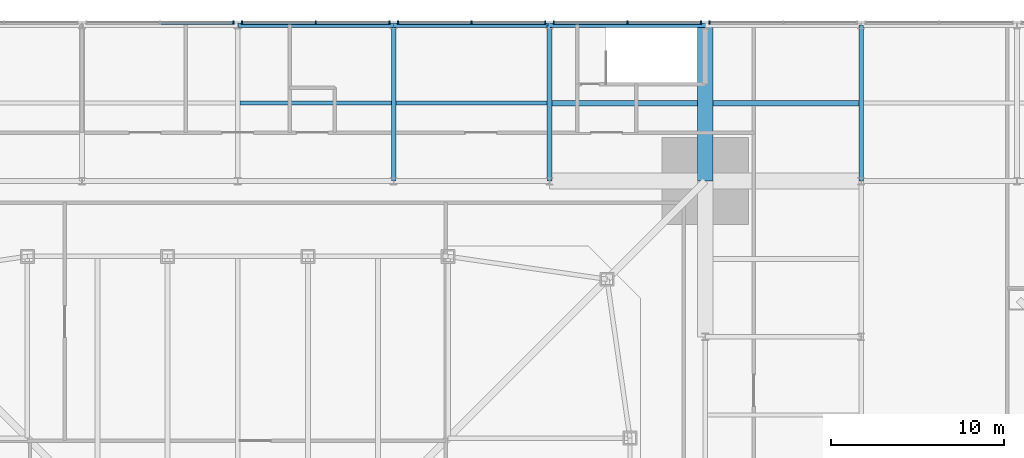
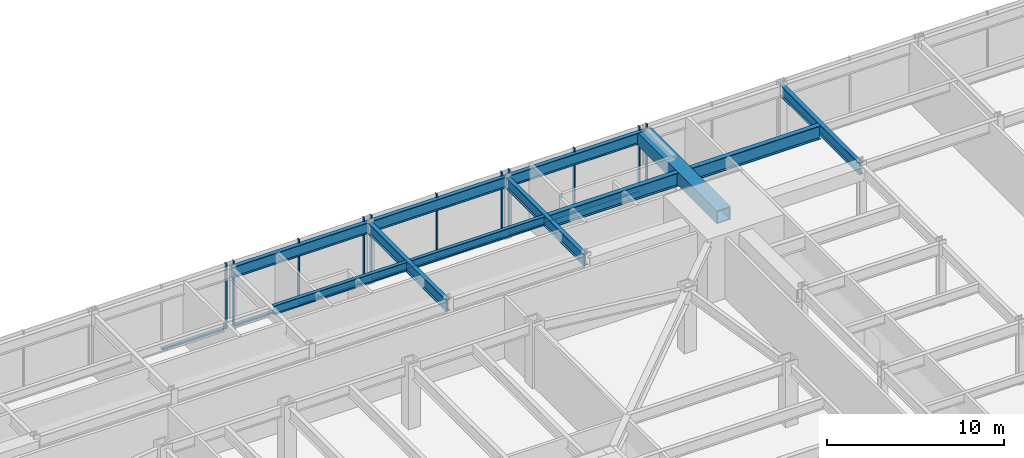
# One storey, part 15 of 30: 18 members, 11 beams, 5 elements without a shape of their own.
"""IFC4 building model written with IfcOpenShell, lengths in metres."""

import ifcopenshell
import ifcopenshell.guid

model = None  # the IFC model being written
_history = None  # IfcOwnerHistory: only IFC2X3 demands one
_inside = {}  # id of a spatial element -> (the spatial element, [elements in it])
_under = {}  # id of a project, library or spatial element -> (it, [spatial elements below it])
_declared = {}  # id of a project -> (the project, [libraries it declares])
_typed = {}  # id of a type object -> (the type object, [elements of that type])
_made_of = {}  # id of a material, layer set ... -> (it, [elements and type objects made of it])


def new_model(schema):
    """Start an empty IFC model of exactly this schema.

    Asked for "IFC4X3", IfcOpenShell would pick the latest addendum, in which some entities
    have other attributes; the version numbers below select the first issue.
    IFC2X3 requires an IfcOwnerHistory on every rooted entity: one is made here for all.
    """
    global model, _history
    if schema == "IFC4X3":
        model = ifcopenshell.file(schema_version=(4, 3, 0, 0))
    else:
        model = ifcopenshell.file(schema=schema)
    _inside.clear()
    _under.clear()
    _declared.clear()
    _typed.clear()
    _made_of.clear()
    _history = None
    if model.schema == "IFC2X3":
        org = make("IfcOrganization", Name="unknown")
        user = make(
            "IfcPersonAndOrganization",
            ThePerson=make("IfcPerson", FamilyName="unknown"),
            TheOrganization=org,
        )
        app = make(
            "IfcApplication",
            ApplicationDeveloper=org,
            Version="unknown",
            ApplicationFullName="unknown",
            ApplicationIdentifier="unknown",
        )
        _history = make(
            "IfcOwnerHistory",
            OwningUser=user,
            OwningApplication=app,
            ChangeAction="ADDED",
            CreationDate=0,
        )
    return model


def make(cls, **values):
    """One entity of the class cls with the attributes given. An attribute that is None is left unset."""
    return model.create_entity(
        cls, **{name: value for name, value in values.items() if value is not None}
    )


def rooted(cls, **values):
    """An entity with a GlobalId (a new one), such as an element, a storey or a relation."""
    return make(cls, GlobalId=ifcopenshell.guid.new(), OwnerHistory=_history, **values)


def si_unit(unit_type, name, prefix=None):
    """IfcSIUnit, for example si_unit("LENGTHUNIT", "METRE", prefix="MILLI")."""
    return make("IfcSIUnit", UnitType=unit_type, Prefix=prefix, Name=name)


def assignment(units):
    """IfcUnitAssignment: the units of a project."""
    return None if units is None else make("IfcUnitAssignment", Units=units)


def point(xyz):
    """IfcCartesianPoint."""
    return None if xyz is None else make("IfcCartesianPoint", Coordinates=xyz)


def direction(xyz):
    """IfcDirection."""
    return None if xyz is None else make("IfcDirection", DirectionRatios=xyz)


def frame(location, z_axis=None, x_axis=None):
    """IfcAxis2Placement3D, a coordinate frame: its origin and axes. An axis left out is left unset."""
    return make(
        "IfcAxis2Placement3D",
        Location=point(location),
        Axis=direction(z_axis),
        RefDirection=direction(x_axis),
    )


def frame_2d(location, x_axis=None):
    """IfcAxis2Placement2D, a coordinate frame in the plane: its origin and x axis."""
    return make(
        "IfcAxis2Placement2D", Location=point(location), RefDirection=direction(x_axis)
    )


def origin():
    """The frame at (0, 0, 0) with its axes left unset."""
    return frame((0.0, 0.0, 0.0))


def origin_2d():
    """The frame at (0, 0) in the plane with its x axis left unset."""
    return frame_2d((0.0, 0.0))


def place(relative_to, where):
    """IfcLocalPlacement: puts the frame where relative to a parent placement (None: the world)."""
    return make(
        "IfcLocalPlacement", PlacementRelTo=relative_to, RelativePlacement=where
    )


def context(
    kind, dimensions, precision=None, world=None, true_north=None, identifier=None
):
    """IfcGeometricRepresentationContext, for example the 3D "Model" context."""
    return make(
        "IfcGeometricRepresentationContext",
        ContextIdentifier=identifier,
        ContextType=kind,
        CoordinateSpaceDimension=dimensions,
        Precision=precision,
        WorldCoordinateSystem=world,
        TrueNorth=true_north,
    )


def subcontext(parent, identifier, kind, view, scale=None):
    """IfcGeometricRepresentationSubContext, for example "Body" below "Model"."""
    return make(
        "IfcGeometricRepresentationSubContext",
        ContextIdentifier=identifier,
        ContextType=kind,
        ParentContext=parent,
        TargetScale=scale,
        TargetView=view,
    )


def project(units=None, contexts=None):
    """IfcProject with its units and contexts."""
    return rooted(
        "IfcProject",
        Name="project",
        RepresentationContexts=contexts,
        UnitsInContext=assignment(units),
    )


def spatial(cls, under=None, at=None, **own):
    """A site, building, storey or space (cls), placed at a placement, below another one or the project."""
    s = rooted(cls, ObjectPlacement=at, **own)
    if under is not None:
        _under.setdefault(under.id(), (under, []))[1].append(s)
    return s


def profile(cls, at=None, kind="AREA", **sizes):
    """A parametric profile (cls). Its sizes go by their IFC names, for example OverallWidth=200.0."""
    return make(cls, ProfileType=kind, Position=at, **sizes)


def rectangle(**sizes):
    """IfcRectangleProfileDef."""
    return profile("IfcRectangleProfileDef", **sizes)


def hollow_rectangle(**sizes):
    """IfcRectangleHollowProfileDef."""
    return profile("IfcRectangleHollowProfileDef", **sizes)


def i_section(**sizes):
    """IfcIShapeProfileDef."""
    return profile("IfcIShapeProfileDef", **sizes)


def extrude(swept, where, along, depth):
    """IfcExtrudedAreaSolid: the profile swept, set in the frame where, extruded along a direction by depth."""
    return make(
        "IfcExtrudedAreaSolid",
        SweptArea=swept,
        Position=where,
        ExtrudedDirection=direction(along),
        Depth=depth,
    )


def shape(context_of_items, identifier, shape_type, items):
    """IfcShapeRepresentation: the items that make up one representation, for example the "Body"."""
    return make(
        "IfcShapeRepresentation",
        ContextOfItems=context_of_items,
        RepresentationIdentifier=identifier,
        RepresentationType=shape_type,
        Items=items,
    )


def material(Name=None, Category=None):
    """IfcMaterial."""
    return make("IfcMaterial", Name=Name, Category=Category)


def material_profile(
    of_material, cross_section, Name=None, Category=None, Priority=None
):
    """IfcMaterialProfile: a cross section and its material."""
    return make(
        "IfcMaterialProfile",
        Name=Name,
        Material=of_material,
        Profile=cross_section,
        Priority=Priority,
        Category=Category,
    )


def profile_set(profiles, Name=None, composite=None):
    """IfcMaterialProfileSet."""
    return make(
        "IfcMaterialProfileSet",
        Name=Name,
        MaterialProfiles=profiles,
        CompositeProfile=composite,
    )


def made_of(thing, what):
    """Note that an element or type object is made of a material, layer set ...; save() writes the relation."""
    if what is not None:
        _made_of.setdefault(what.id(), (what, []))[1].append(thing)
    return thing


def type_object(cls, material=None, **own):
    """A type object (cls), such as IfcWallType, which elements share."""
    return made_of(rooted(cls, **own), material)


def element(
    cls,
    number,
    at=None,
    inside=None,
    cuts=None,
    type_object=None,
    material=None,
    context=None,
    identifier="Body",
    shape_type=None,
    held_by="IfcProductDefinitionShape",
    body=None,
    shapes=None,
    **own,
):
    """One element of the class cls, such as IfcWall. Its Tag is "e" and its number.

    at: its placement. inside: the storey or other place that contains it. cuts: it is an
    opening in that element (IfcRelVoidsElement). A single representation is given by context,
    identifier, shape_type and body (its items); several are given by shapes. held_by: the class
    of the entity that holds the representations. save() writes the other relations.
    """
    e = rooted(cls, Tag="e%d" % number, ObjectPlacement=at, **own)
    if body is not None:
        shapes = [shape(context, identifier, shape_type, body)]
    if shapes is not None:
        e.Representation = make(held_by, Representations=shapes)
    if inside is not None:
        _inside.setdefault(inside.id(), (inside, []))[1].append(e)
    if cuts is not None:
        rooted(
            "IfcRelVoidsElement", RelatingBuildingElement=cuts, RelatedOpeningElement=e
        )
    if type_object is not None:
        _typed.setdefault(type_object.id(), (type_object, []))[1].append(e)
    return made_of(e, material)


def aggregate(whole, parts):
    """IfcRelAggregates: a whole, such as a stair, and the parts it consists of."""
    return rooted("IfcRelAggregates", RelatingObject=whole, RelatedObjects=parts)


def save(model, path):
    """Write the relations noted so far, then the file.

    IfcRelAggregates (storeys below a building ...), IfcRelContainedInSpatialStructure (elements
    in a storey), IfcRelDefinesByType, IfcRelAssociatesMaterial and IfcRelDeclares: one each for
    every whole, place, type object, material and project.
    """
    for whole, parts in _under.values():
        aggregate(whole, parts)
    for where, things in _inside.values():
        rooted(
            "IfcRelContainedInSpatialStructure",
            RelatedElements=things,
            RelatingStructure=where,
        )
    for kind, things in _typed.values():
        rooted("IfcRelDefinesByType", RelatedObjects=things, RelatingType=kind)
    for what, things in _made_of.values():
        rooted("IfcRelAssociatesMaterial", RelatedObjects=things, RelatingMaterial=what)
    for by, libraries in _declared.values():
        rooted("IfcRelDeclares", RelatingContext=by, RelatedDefinitions=libraries)
    model.write(path)


model = new_model("IFC4")

# Units and contexts
model_context = context("Model", 3, precision=1e-05, world=origin(), true_north=direction((0.0, 1.0)))
body_context = subcontext(model_context, "Body", "Model", "MODEL_VIEW")
ifc_project = project(units=[si_unit("LENGTHUNIT", "METRE"), si_unit("AREAUNIT", "SQUARE_METRE"), si_unit("VOLUMEUNIT", "CUBIC_METRE"), si_unit("PLANEANGLEUNIT", "RADIAN"), si_unit("MASSUNIT", "GRAM", prefix="KILO")], contexts=[model_context])

# Site, building, storey
site_placement = place(None, origin())
site = spatial("IfcSite", under=ifc_project, at=site_placement, CompositionType="ELEMENT")
building_placement = place(site_placement, origin())
building = spatial("IfcBuilding", under=site, at=building_placement, Name="Iwan Alto Co-Living Towers", CompositionType="ELEMENT")
storey_placement = place(building_placement, frame((0.0, 0.0, 10.5)))
storey = spatial("IfcBuildingStorey", under=building, at=storey_placement, Name="L02", CompositionType="ELEMENT", Elevation=10.5)

# Curtain wall, member
ifc_material_1 = material(Name="Bronze aluminium stick frame", Category="aluminium")
curtain_wall_type = type_object("IfcCurtainWallType", Name="CURTAIN WALL CW-E", PredefinedType="NOTDEFINED", material=ifc_material_1)
curtain_wall_1_placement = place(storey_placement, origin())
curtain_wall_1 = element("IfcCurtainWall", 1, at=curtain_wall_1_placement, inside=storey, type_object=curtain_wall_type, Name="Podium curtain wall N L02", PredefinedType="NOTDEFINED")
ifc_material_2 = material(Name="Aluminium 6063-T6 bronze anodised", Category="aluminium")
ifc_material_profile_1 = material_profile(ifc_material_2, rectangle(XDim=0.199951171875, YDim=0.080078125, at=origin_2d()), Name="AL 80X200")
ifc_profile_set_1 = profile_set([ifc_material_profile_1], Name="Aluminium 6063-T6 bronze anodised")
member_type_1 = type_object("IfcMemberType", Name="CW-E MULLION 80X200", PredefinedType="MULLION", material=ifc_profile_set_1)
member_1_placement = place(storey_placement, frame((-0.245849609375, 36.14990234375, 0.0), z_axis=(0.0, 0.0, 1.0), x_axis=(0.0, -1.0, 0.0)))
member_1 = element("IfcMember", 2, at=member_1_placement, type_object=member_type_1, Name="CW-E mullion 1", PredefinedType="MULLION", context=body_context, shape_type="SweptSolid", body=[
    extrude(rectangle(XDim=0.199951171875, YDim=0.080078125, at=origin_2d()), origin(), (0.0, 0.0, 1.0), 4.5),
])

# Curtain wall, members
curtain_wall_2_placement = place(storey_placement, origin())
curtain_wall_2 = element("IfcCurtainWall", 3, at=curtain_wall_2_placement, inside=storey, type_object=curtain_wall_type, Name="Podium curtain wall N L02", PredefinedType="NOTDEFINED")
member_2_placement = place(storey_placement, frame((8.754150390625, 36.14990234375, 0.0), z_axis=(0.0, 0.0, 1.0), x_axis=(0.0, -1.0, 0.0)))
member_2 = element("IfcMember", 4, at=member_2_placement, type_object=member_type_1, Name="CW-E mullion 1", PredefinedType="MULLION", context=body_context, shape_type="SweptSolid", body=[
    extrude(rectangle(XDim=0.199951171875, YDim=0.080078125, at=origin_2d()), origin(), (0.0, 0.0, 1.0), 4.5),
])
member_3_placement = place(storey_placement, frame((4.5, 36.14990234375, 0.0), z_axis=(0.0, 0.0, 1.0), x_axis=(0.0, -1.0, 0.0)))
member_3 = element("IfcMember", 5, at=member_3_placement, type_object=member_type_1, Name="CW-E mullion 2", PredefinedType="MULLION", context=body_context, shape_type="SweptSolid", body=[
    extrude(rectangle(XDim=0.199951171875, YDim=0.080078125, at=origin_2d()), origin(), (0.0, 0.0, 1.0), 4.5),
])
member_4_placement = place(storey_placement, frame((0.245849609375, 36.14990234375, 0.0), z_axis=(0.0, 0.0, 1.0), x_axis=(0.0, -1.0, 0.0)))
member_4 = element("IfcMember", 6, at=member_4_placement, type_object=member_type_1, Name="CW-E mullion 3", PredefinedType="MULLION", context=body_context, shape_type="SweptSolid", body=[
    extrude(rectangle(XDim=0.199951171875, YDim=0.080078125, at=origin_2d()), origin(), (0.0, 0.0, 1.0), 4.5),
])

curtain_wall_3_placement = place(storey_placement, origin())
curtain_wall_3 = element("IfcCurtainWall", 7, at=curtain_wall_3_placement, inside=storey, type_object=curtain_wall_type, Name="Podium curtain wall N L02", PredefinedType="NOTDEFINED")
member_5_placement = place(storey_placement, frame((17.754150390625, 36.14990234375, 0.0), z_axis=(0.0, 0.0, 1.0), x_axis=(0.0, -1.0, 0.0)))
member_5 = element("IfcMember", 8, at=member_5_placement, type_object=member_type_1, Name="CW-E mullion 1", PredefinedType="MULLION", context=body_context, shape_type="SweptSolid", body=[
    extrude(rectangle(XDim=0.199951171875, YDim=0.080078125, at=origin_2d()), origin(), (0.0, 0.0, 1.0), 4.5),
])
member_6_placement = place(storey_placement, frame((13.5, 36.14990234375, 0.0), z_axis=(0.0, 0.0, 1.0), x_axis=(0.0, -1.0, 0.0)))
member_6 = element("IfcMember", 9, at=member_6_placement, type_object=member_type_1, Name="CW-E mullion 2", PredefinedType="MULLION", context=body_context, shape_type="SweptSolid", body=[
    extrude(rectangle(XDim=0.199951171875, YDim=0.080078125, at=origin_2d()), origin(), (0.0, 0.0, 1.0), 4.5),
])
member_7_placement = place(storey_placement, frame((9.245849609375, 36.14990234375, 0.0), z_axis=(0.0, 0.0, 1.0), x_axis=(0.0, -1.0, 0.0)))
member_7 = element("IfcMember", 10, at=member_7_placement, type_object=member_type_1, Name="CW-E mullion 3", PredefinedType="MULLION", context=body_context, shape_type="SweptSolid", body=[
    extrude(rectangle(XDim=0.199951171875, YDim=0.080078125, at=origin_2d()), origin(), (0.0, 0.0, 1.0), 4.5),
])

curtain_wall_4_placement = place(storey_placement, origin())
curtain_wall_4 = element("IfcCurtainWall", 11, at=curtain_wall_4_placement, inside=storey, type_object=curtain_wall_type, Name="Podium curtain wall N L02", PredefinedType="NOTDEFINED")
member_8_placement = place(storey_placement, frame((26.754150390625, 36.14990234375, 0.0), z_axis=(0.0, 0.0, 1.0), x_axis=(0.0, -1.0, 0.0)))
member_8 = element("IfcMember", 12, at=member_8_placement, type_object=member_type_1, Name="CW-E mullion 1", PredefinedType="MULLION", context=body_context, shape_type="SweptSolid", body=[
    extrude(rectangle(XDim=0.199951171875, YDim=0.080078125, at=origin_2d()), origin(), (0.0, 0.0, 1.0), 4.5),
])
member_9_placement = place(storey_placement, frame((22.5, 36.14990234375, 0.0), z_axis=(0.0, 0.0, 1.0), x_axis=(0.0, -1.0, 0.0)))
member_9 = element("IfcMember", 13, at=member_9_placement, type_object=member_type_1, Name="CW-E mullion 2", PredefinedType="MULLION", context=body_context, shape_type="SweptSolid", body=[
    extrude(rectangle(XDim=0.199951171875, YDim=0.080078125, at=origin_2d()), origin(), (0.0, 0.0, 1.0), 4.5),
])
member_10_placement = place(storey_placement, frame((18.245849609375, 36.14990234375, 0.0), z_axis=(0.0, 0.0, 1.0), x_axis=(0.0, -1.0, 0.0)))
member_10 = element("IfcMember", 14, at=member_10_placement, type_object=member_type_1, Name="CW-E mullion 3", PredefinedType="MULLION", context=body_context, shape_type="SweptSolid", body=[
    extrude(rectangle(XDim=0.199951171875, YDim=0.080078125, at=origin_2d()), origin(), (0.0, 0.0, 1.0), 4.5),
])

# Curtain wall, member
curtain_wall_5_placement = place(storey_placement, origin())
curtain_wall_5 = element("IfcCurtainWall", 15, at=curtain_wall_5_placement, inside=storey, type_object=curtain_wall_type, Name="Podium curtain wall N L02", PredefinedType="NOTDEFINED")
member_11_placement = place(storey_placement, frame((27.245849609375, 36.14990234375, 0.0), z_axis=(0.0, 0.0, 1.0), x_axis=(0.0, -1.0, 0.0)))
member_11 = element("IfcMember", 16, at=member_11_placement, type_object=member_type_1, Name="CW-E mullion 3", PredefinedType="MULLION", context=body_context, shape_type="SweptSolid", body=[
    extrude(rectangle(XDim=0.199951171875, YDim=0.080078125, at=origin_2d()), origin(), (0.0, 0.0, 1.0), 4.5),
])
aggregate(curtain_wall_5, [member_11])

# Member
ifc_material_3 = material(Name="Aluminium 6063-T6 bronze anodised", Category="aluminium")
ifc_material_profile_2 = material_profile(ifc_material_3, rectangle(XDim=0.199951171875, YDim=0.10009765625, at=origin_2d()), Name="AL 200X100")
ifc_profile_set_2 = profile_set([ifc_material_profile_2], Name="Aluminium 6063-T6 bronze anodised")
member_type_2 = type_object("IfcMemberType", Name="CW-E TRANSOM 200X100", PredefinedType="USERDEFINED", material=ifc_profile_set_2)
member_12_placement = place(storey_placement, frame((-0.28564453125, 36.14990234375, 0.050048828125), z_axis=(-1.0, 0.0, 0.0), x_axis=(0.0, -1.0, 0.0)))
member_12 = element("IfcMember", 17, at=member_12_placement, type_object=member_type_2, Name="CW-E transom 1.1", ObjectType="TRANSOM", PredefinedType="USERDEFINED", context=body_context, shape_type="SweptSolid", body=[
    extrude(rectangle(XDim=0.199951171875, YDim=0.10009765625, at=origin_2d()), origin(), (0.0, 0.0, 1.0), 4.17431640625),
])

aggregate(curtain_wall_1, [member_1, member_12])

member_13_placement = place(storey_placement, frame((8.71435546875, 36.14990234375, 0.050048828125), z_axis=(-1.0, 0.0, 0.0), x_axis=(0.0, -1.0, 0.0)))
member_13 = element("IfcMember", 18, at=member_13_placement, type_object=member_type_2, Name="CW-E transom 1.1", ObjectType="TRANSOM", PredefinedType="USERDEFINED", context=body_context, shape_type="SweptSolid", body=[
    extrude(rectangle(XDim=0.199951171875, YDim=0.10009765625, at=origin_2d()), origin(), (0.0, 0.0, 1.0), 4.17431640625),
])

member_14_placement = place(storey_placement, frame((4.4599609375, 36.14990234375, 0.050048828125), z_axis=(-1.0, 0.0, 0.0), x_axis=(0.0, -1.0, 0.0)))
member_14 = element("IfcMember", 19, at=member_14_placement, type_object=member_type_2, Name="CW-E transom 2.1", ObjectType="TRANSOM", PredefinedType="USERDEFINED", context=body_context, shape_type="SweptSolid", body=[
    extrude(rectangle(XDim=0.199951171875, YDim=0.10009765625, at=origin_2d()), origin(), (0.0, 0.0, 1.0), 4.17431640625),
])

aggregate(curtain_wall_2, [member_2, member_3, member_4, member_13, member_14])

member_15_placement = place(storey_placement, frame((17.71435546875, 36.14990234375, 0.050048828125), z_axis=(-1.0, 0.0, 0.0), x_axis=(0.0, -1.0, 0.0)))
member_15 = element("IfcMember", 20, at=member_15_placement, type_object=member_type_2, Name="CW-E transom 1.1", ObjectType="TRANSOM", PredefinedType="USERDEFINED", context=body_context, shape_type="SweptSolid", body=[
    extrude(rectangle(XDim=0.199951171875, YDim=0.10009765625, at=origin_2d()), origin(), (0.0, 0.0, 1.0), 4.17431640625),
])

member_16_placement = place(storey_placement, frame((13.4599609375, 36.14990234375, 0.050048828125), z_axis=(-1.0, 0.0, 0.0), x_axis=(0.0, -1.0, 0.0)))
member_16 = element("IfcMember", 21, at=member_16_placement, type_object=member_type_2, Name="CW-E transom 2.1", ObjectType="TRANSOM", PredefinedType="USERDEFINED", context=body_context, shape_type="SweptSolid", body=[
    extrude(rectangle(XDim=0.199951171875, YDim=0.10009765625, at=origin_2d()), origin(), (0.0, 0.0, 1.0), 4.17431640625),
])

aggregate(curtain_wall_3, [member_5, member_6, member_7, member_15, member_16])

member_17_placement = place(storey_placement, frame((26.71435546875, 36.14990234375, 0.050048828125), z_axis=(-1.0, 0.0, 0.0), x_axis=(0.0, -1.0, 0.0)))
member_17 = element("IfcMember", 22, at=member_17_placement, type_object=member_type_2, Name="CW-E transom 1.1", ObjectType="TRANSOM", PredefinedType="USERDEFINED", context=body_context, shape_type="SweptSolid", body=[
    extrude(rectangle(XDim=0.199951171875, YDim=0.10009765625, at=origin_2d()), origin(), (0.0, 0.0, 1.0), 4.17431640625),
])

member_18_placement = place(storey_placement, frame((22.4599609375, 36.14990234375, 0.050048828125), z_axis=(-1.0, 0.0, 0.0), x_axis=(0.0, -1.0, 0.0)))
member_18 = element("IfcMember", 23, at=member_18_placement, type_object=member_type_2, Name="CW-E transom 2.1", ObjectType="TRANSOM", PredefinedType="USERDEFINED", context=body_context, shape_type="SweptSolid", body=[
    extrude(rectangle(XDim=0.199951171875, YDim=0.10009765625, at=origin_2d()), origin(), (0.0, 0.0, 1.0), 4.17431640625),
])

aggregate(curtain_wall_4, [member_8, member_9, member_10, member_17, member_18])

# Beams
ifc_material_4 = material(Name="Steel ASTM A992 Gr 50", Category="steel")
ifc_material_profile_3 = material_profile(ifc_material_4, i_section(OverallWidth=0.2666015625, OverallDepth=0.76953125, WebThickness=0.015625, FlangeThickness=0.025390625, at=origin_2d()), Name="W30X132")
ifc_profile_set_3 = profile_set([ifc_material_profile_3], Name="Steel ASTM A992 Gr 50")
beam_type_1 = type_object("IfcBeamType", Name="PODIUM BEAM W30X132", PredefinedType="BEAM", material=ifc_profile_set_3)
for number, where, z_axis, x_axis, name in (
    (24, (0.0, 36.0, 3.865234375), (1.0, 0.0, 0.0), (0.0, 1.0, 0.0), "Podium beam 5/I-6/I L03"),
    (25, (9.0, 27.0, 3.865234375), (0.0, 1.0, 0.0), (-1.0, 0.0, 0.0), "Podium beam 6/H-6/I L03"),
    (26, (9.0, 36.0, 3.865234375), (1.0, 0.0, 0.0), (0.0, 1.0, 0.0), "Podium beam 6/I-7/I L03"),
    (27, (18.0, 27.0, 3.865234375), (0.0, 1.0, 0.0), (-1.0, 0.0, 0.0), "Podium beam 7/H-7/I L03"),
    (28, (18.0, 36.0, 3.865234375), (1.0, 0.0, 0.0), (0.0, 1.0, 0.0), "Podium beam 7/I-8/I L03"),
    (29, (36.0, 27.0, 3.865234375), (0.0, 1.0, 0.0), (-1.0, 0.0, 0.0), "Podium beam 9/H-9/I L03"),
):
    element("IfcBeam", number, at=place(storey_placement, frame(where, z_axis=z_axis, x_axis=x_axis)), inside=storey, type_object=beam_type_1, Name=name, PredefinedType="BEAM", context=body_context, shape_type="SweptSolid", body=[
        extrude(i_section(OverallWidth=0.2666015625, OverallDepth=0.76953125, WebThickness=0.015625, FlangeThickness=0.025390625, at=origin_2d()), origin(), (0.0, 0.0, 1.0), 9.0),
    ])
ifc_material_5 = material(Name="Steel ASTM A992 Gr 50", Category="steel")
ifc_material_profile_4 = material_profile(ifc_material_5, i_section(OverallWidth=0.307373046875, OverallDepth=0.927001953125, WebThickness=0.01953125, FlangeThickness=0.031982421875, at=origin_2d()), Name="W36X194")
ifc_profile_set_4 = profile_set([ifc_material_profile_4], Name="Steel ASTM A992 Gr 50")
beam_type_2 = type_object("IfcBeamType", Name="PODIUM PIER BAY SECONDARY BEAM W36X194", PredefinedType="JOIST", material=ifc_profile_set_4)
for number, where, z_axis, x_axis, name in (
    (30, (18.13330078125, 31.5, 3.786376953125), (1.0, 0.0, 0.0), (0.0, 1.0, 0.0), "Podium secondary beam 7/H L03"),
    (31, (27.449951171875, 31.5, 3.786376953125), (1.0, 0.0, 0.0), (0.0, 1.0, 0.0), "Podium secondary beam 8/H L03"),
):
    element("IfcBeam", number, at=place(storey_placement, frame(where, z_axis=z_axis, x_axis=x_axis)), inside=storey, type_object=beam_type_2, Name=name, PredefinedType="JOIST", context=body_context, shape_type="SweptSolid", body=[
        extrude(i_section(OverallWidth=0.307373046875, OverallDepth=0.927001953125, WebThickness=0.01953125, FlangeThickness=0.031982421875, at=origin_2d()), origin(), (0.0, 0.0, 1.0), 8.416748046875),
    ])
ifc_material_6 = material(Name="Steel ASTM A572 Gr 50", Category="steel")
ifc_material_profile_5 = material_profile(ifc_material_6, hollow_rectangle(XDim=0.89990234375, YDim=0.89990234375, WallThickness=0.06005859375, at=origin_2d()), Name="BOX 900X900X60")
ifc_profile_set_5 = profile_set([ifc_material_profile_5], Name="Steel ASTM A572 Gr 50")
beam_type_3 = type_object("IfcBeamType", Name="PODIUM PIER BEAM BOX 900X900X60", PredefinedType="BEAM", material=ifc_profile_set_5)
beam_placement = place(storey_placement, frame((27.0, 27.0, 3.800048828125), z_axis=(0.0, 1.0, 0.0), x_axis=(-1.0, 0.0, 0.0)))
element("IfcBeam", 32, at=beam_placement, inside=storey, type_object=beam_type_3, Name="Podium beam 8/H-8/I L03", PredefinedType="BEAM", context=body_context, shape_type="SweptSolid", body=[
    extrude(hollow_rectangle(XDim=0.89990234375, YDim=0.89990234375, WallThickness=0.06005859375, at=origin_2d()), origin(), (0.0, 0.0, 1.0), 9.0),
])
ifc_material_7 = material(Name="Steel ASTM A992 Gr 50", Category="steel")
ifc_material_profile_6 = material_profile(ifc_material_7, i_section(OverallWidth=0.23046875, OverallDepth=0.6171875, WebThickness=0.01318359375, FlangeThickness=0.022216796875, at=origin_2d()), Name="W24X94")
ifc_profile_set_6 = profile_set([ifc_material_profile_6], Name="Steel ASTM A992 Gr 50")
beam_type_4 = type_object("IfcBeamType", Name="PODIUM SECONDARY BEAM W24X94", PredefinedType="JOIST", material=ifc_profile_set_6)
for number, where, z_axis, x_axis, name in (
    (33, (0.13330078125, 31.5, 3.94140625), (1.0, 0.0, 0.0), (0.0, 1.0, 0.0), "Podium secondary beam 5/H L03"),
    (34, (9.13330078125, 31.5, 3.94140625), (1.0, 0.0, 0.0), (0.0, 1.0, 0.0), "Podium secondary beam 6/H L03"),
):
    element("IfcBeam", number, at=place(storey_placement, frame(where, z_axis=z_axis, x_axis=x_axis)), inside=storey, type_object=beam_type_4, Name=name, PredefinedType="JOIST", context=body_context, shape_type="SweptSolid", body=[
        extrude(i_section(OverallWidth=0.23046875, OverallDepth=0.6171875, WebThickness=0.01318359375, FlangeThickness=0.022216796875, at=origin_2d()), origin(), (0.0, 0.0, 1.0), 8.7333984375),
    ])

save(model, "model.ifc")
